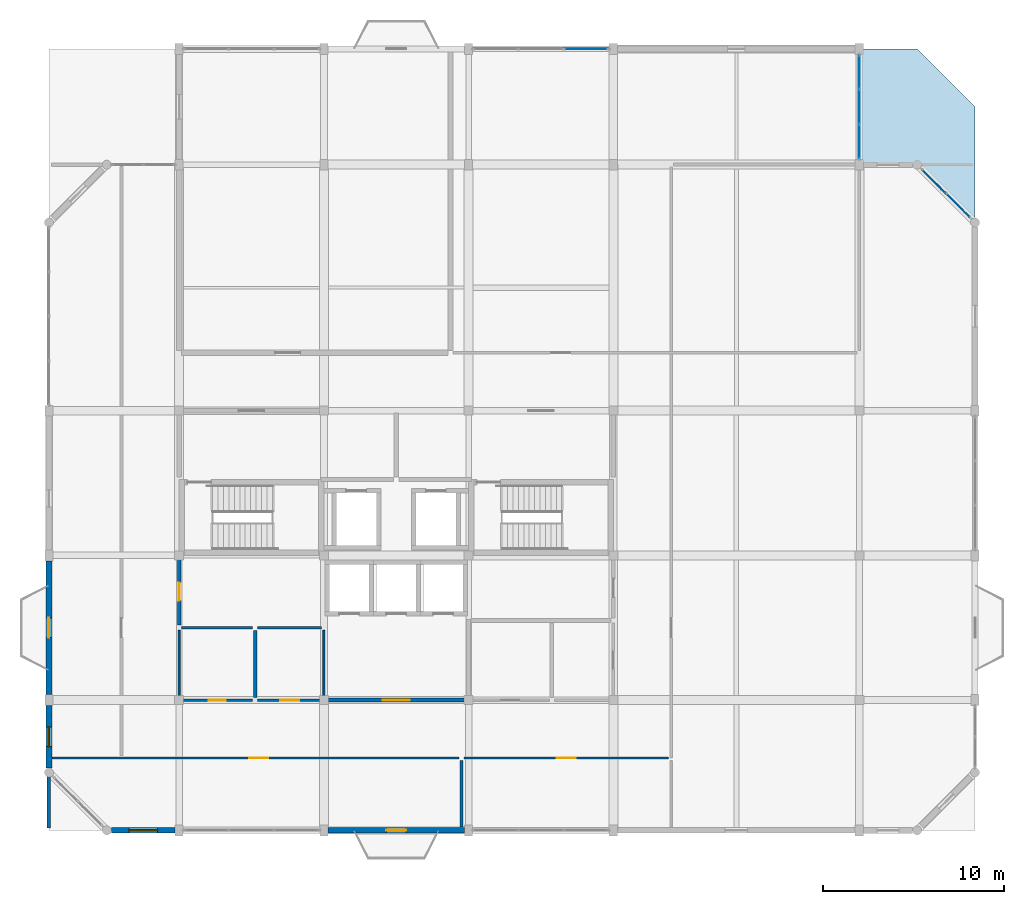
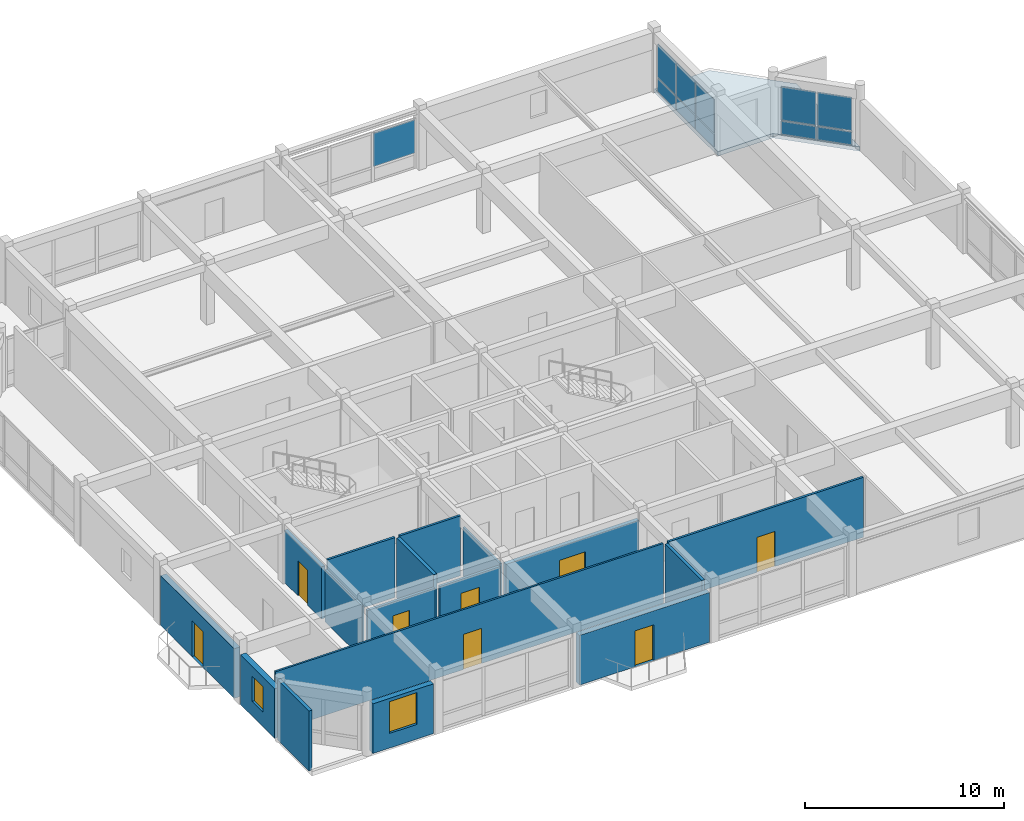
# One storey, part 8 of 12: 17 walls, 11 plates, 8 doors, 2 windows, 1 slab, 10 openings, 3 elements without a shape of their own.
"""IFC4 building model written with IfcOpenShell, lengths in metres."""

from ifc_helpers import new_model, si_unit, direction, frame, frame_2d, origin, origin_2d, place, context, subcontext, project, spatial, polyline, rectangle, outline, extrude, material, layer, layer_set, type_object, element, fill, aggregate, save


model = new_model("IFC4")

# Units and contexts
model_context = context("Model", 3, precision=1e-05, world=origin(), true_north=direction((0.0, 1.0)))
body_context = subcontext(model_context, "Body", "Model", "MODEL_VIEW")
ifc_project = project(units=[si_unit("LENGTHUNIT", "METRE"), si_unit("AREAUNIT", "SQUARE_METRE"), si_unit("VOLUMEUNIT", "CUBIC_METRE"), si_unit("PLANEANGLEUNIT", "RADIAN"), si_unit("MASSUNIT", "GRAM", prefix="KILO")], contexts=[model_context])

# Site, building, storey
site_placement = place(None, origin())
site = spatial("IfcSite", under=ifc_project, at=site_placement, CompositionType="ELEMENT")
building_placement = place(site_placement, origin())
building = spatial("IfcBuilding", under=site, at=building_placement, Name="Vellmiral Cinema and Media Centre", CompositionType="ELEMENT")
storey_placement = place(building_placement, frame((0.0, 0.0, 62.64990234375)))
storey = spatial("IfcBuildingStorey", under=building, at=storey_placement, Name="L15", CompositionType="ELEMENT", Elevation=62.64990234375)

# Curtain wall, plates
ifc_material_1 = material(Name="Thermally Broken Aluminium and Triple Glazing", Category="aluminium")
curtain_wall_type = type_object("IfcCurtainWallType", Name="CW-CROWN-LANTERN", PredefinedType="USERDEFINED", material=ifc_material_1)
curtain_wall_1_placement = place(storey_placement, origin())
curtain_wall_1 = element("IfcCurtainWall", 1, at=curtain_wall_1_placement, inside=storey, type_object=curtain_wall_type, Name="Curtain Wall L15-B012", ObjectType="STICK CURTAIN WALL", PredefinedType="USERDEFINED")
ifc_material_2 = material(Name="Polychrome Trencadis Ceramic Spandrel Panel", Category="ceramic")
ifc_layer_1 = layer(ifc_material_2, 0.052001953125, Name="Polychrome Trencadis Ceramic Spandrel Panel")
ifc_layer_set_1 = layer_set([ifc_layer_1], Name="Polychrome Trencadis Ceramic Spandrel Panel")
plate_type_1 = type_object("IfcPlateType", Name="CWP-TRENC-52", PredefinedType="CURTAIN_PANEL", material=ifc_layer_set_1)
plate_1_placement = place(storey_placement, frame((167.062744140625, 106.537353515625, 0.070068359375), z_axis=(0.0, 0.0, 1.0), x_axis=(-0.707106781187, 0.707106781187, 0.0)))
plate_1 = element("IfcPlate", 2, at=plate_1_placement, type_object=plate_type_1, Name="CW-10 panel 1.1", PredefinedType="CURTAIN_PANEL", context=body_context, shape_type="SweptSolid", body=[
    extrude(rectangle(XDim=1.80419921875, YDim=0.052001953125, at=origin_2d()), origin(), (0.0, 0.0, 1.0), 0.794921875),
])
plate_2_placement = place(storey_placement, frame((165.7373046875, 107.862548828125, 0.070068359375), z_axis=(0.0, 0.0, 1.0), x_axis=(-0.707106781187, 0.707106781187, 0.0)))
plate_2 = element("IfcPlate", 3, at=plate_2_placement, type_object=plate_type_1, Name="CW-10 panel 2.1", PredefinedType="CURTAIN_PANEL", context=body_context, shape_type="SweptSolid", body=[
    extrude(rectangle(XDim=1.80419921875, YDim=0.052001953125, at=origin_2d()), origin(), (0.0, 0.0, 1.0), 0.794921875),
])

curtain_wall_2_placement = place(storey_placement, origin())
curtain_wall_2 = element("IfcCurtainWall", 4, at=curtain_wall_2_placement, inside=storey, type_object=curtain_wall_type, Name="Curtain Wall L15-B014", ObjectType="STICK CURTAIN WALL", PredefinedType="USERDEFINED")
plate_3_placement = place(storey_placement, frame((161.60009765625, 110.084228515625, 0.070068359375), z_axis=(0.0, 0.0, 1.0), x_axis=(0.0, 1.0, 0.0)))
plate_3 = element("IfcPlate", 5, at=plate_3_placement, type_object=plate_type_1, Name="CW-10 panel 1.1", PredefinedType="CURTAIN_PANEL", context=body_context, shape_type="SweptSolid", body=[
    extrude(rectangle(XDim=1.828369140625, YDim=0.052001953125, at=origin_2d()), origin(), (0.0, 0.0, 1.0), 0.794921875),
])
plate_4_placement = place(storey_placement, frame((161.60009765625, 112.0, 0.070068359375), z_axis=(0.0, 0.0, 1.0), x_axis=(0.0, 1.0, 0.0)))
plate_4 = element("IfcPlate", 6, at=plate_4_placement, type_object=plate_type_1, Name="CW-10 panel 2.1", PredefinedType="CURTAIN_PANEL", context=body_context, shape_type="SweptSolid", body=[
    extrude(rectangle(XDim=1.86328125, YDim=0.052001953125, at=origin_2d()), origin(), (0.0, 0.0, 1.0), 0.794921875),
])
plate_5_placement = place(storey_placement, frame((161.60009765625, 113.915771484375, 0.070068359375), z_axis=(0.0, 0.0, 1.0), x_axis=(0.0, 1.0, 0.0)))
plate_5 = element("IfcPlate", 7, at=plate_5_placement, type_object=plate_type_1, Name="CW-10 panel 3.1", PredefinedType="CURTAIN_PANEL", context=body_context, shape_type="SweptSolid", body=[
    extrude(rectangle(XDim=1.828369140625, YDim=0.052001953125, at=origin_2d()), origin(), (0.0, 0.0, 1.0), 0.794921875),
])

# Plate
ifc_material_3 = material(Name="Triple Low-E Vision Glazing", Category="glass")
ifc_layer_2 = layer(ifc_material_3, 0.0380859375, Name="Triple Low-E Vision Glazing")
ifc_layer_set_2 = layer_set([ifc_layer_2], Name="Triple Low-E Vision Glazing")
plate_type_2 = type_object("IfcPlateType", Name="CWP-VISION-38", PredefinedType="CURTAIN_PANEL", material=ifc_layer_set_2)
plate_6_placement = place(storey_placement, frame((167.062744140625, 106.537353515625, 0.93505859375), z_axis=(0.0, 0.0, 1.0), x_axis=(-0.707106781187, 0.707106781187, 0.0)))
plate_6 = element("IfcPlate", 8, at=plate_6_placement, type_object=plate_type_2, Name="CW-10 panel 1.2", PredefinedType="CURTAIN_PANEL", context=body_context, shape_type="SweptSolid", body=[
    extrude(rectangle(XDim=1.80419921875, YDim=0.0380859375, at=origin_2d()), origin(), (0.0, 0.0, 1.0), 2.044921875),
])

plate_7_placement = place(storey_placement, frame((165.7373046875, 107.862548828125, 0.93505859375), z_axis=(0.0, 0.0, 1.0), x_axis=(-0.707106781187, 0.707106781187, 0.0)))
plate_7 = element("IfcPlate", 9, at=plate_7_placement, type_object=plate_type_2, Name="CW-10 panel 2.2", PredefinedType="CURTAIN_PANEL", context=body_context, shape_type="SweptSolid", body=[
    extrude(rectangle(XDim=1.80419921875, YDim=0.0380859375, at=origin_2d()), origin(), (0.0, 0.0, 1.0), 2.044921875),
])

aggregate(curtain_wall_1, [plate_1, plate_6, plate_2, plate_7])

plate_8_placement = place(storey_placement, frame((161.60009765625, 110.084228515625, 0.93505859375), z_axis=(0.0, 0.0, 1.0), x_axis=(0.0, 1.0, 0.0)))
plate_8 = element("IfcPlate", 10, at=plate_8_placement, type_object=plate_type_2, Name="CW-10 panel 1.2", PredefinedType="CURTAIN_PANEL", context=body_context, shape_type="SweptSolid", body=[
    extrude(rectangle(XDim=1.828369140625, YDim=0.0380859375, at=origin_2d()), origin(), (0.0, 0.0, 1.0), 2.044921875),
])

plate_9_placement = place(storey_placement, frame((161.60009765625, 112.0, 0.93505859375), z_axis=(0.0, 0.0, 1.0), x_axis=(0.0, 1.0, 0.0)))
plate_9 = element("IfcPlate", 11, at=plate_9_placement, type_object=plate_type_2, Name="CW-10 panel 2.2", PredefinedType="CURTAIN_PANEL", context=body_context, shape_type="SweptSolid", body=[
    extrude(rectangle(XDim=1.86328125, YDim=0.0380859375, at=origin_2d()), origin(), (0.0, 0.0, 1.0), 2.044921875),
])

plate_10_placement = place(storey_placement, frame((161.60009765625, 113.915771484375, 0.93505859375), z_axis=(0.0, 0.0, 1.0), x_axis=(0.0, 1.0, 0.0)))
plate_10 = element("IfcPlate", 12, at=plate_10_placement, type_object=plate_type_2, Name="CW-10 panel 3.2", PredefinedType="CURTAIN_PANEL", context=body_context, shape_type="SweptSolid", body=[
    extrude(rectangle(XDim=1.828369140625, YDim=0.0380859375, at=origin_2d()), origin(), (0.0, 0.0, 1.0), 2.044921875),
])

aggregate(curtain_wall_2, [plate_3, plate_8, plate_4, plate_9, plate_5, plate_10])

# Curtain wall, plate
curtain_wall_3_placement = place(storey_placement, origin())
curtain_wall_3 = element("IfcCurtainWall", 13, at=curtain_wall_3_placement, inside=storey, type_object=curtain_wall_type, Name="Curtain Wall L15-B016", ObjectType="STICK CURTAIN WALL", PredefinedType="USERDEFINED")
plate_11_placement = place(storey_placement, frame((146.499267578125, 115.199951171875, 0.93505859375), z_axis=(0.0, 0.0, 1.0), x_axis=(-1.0, 0.0, 0.0)))
plate_11 = element("IfcPlate", 14, at=plate_11_placement, type_object=plate_type_2, Name="CW-10 panel 1.2", PredefinedType="CURTAIN_PANEL", context=body_context, shape_type="SweptSolid", body=[
    extrude(rectangle(XDim=2.41162109375, YDim=0.0380859375, at=origin_2d()), origin(), (0.0, 0.0, 1.0), 2.044921875),
])
aggregate(curtain_wall_3, [plate_11])

# Slab
ifc_material_4 = material(Name="Concrete C40/50", Category="concrete")
ifc_layer_3 = layer(ifc_material_4, 0.27001953125, Name="Concrete C40/50")
ifc_layer_set_3 = layer_set([ifc_layer_3], Name="Concrete C40/50")
slab_type = type_object("IfcSlabType", Name="SLB-ROOF-270", PredefinedType="ROOF", material=ifc_layer_set_3)
slab_placement = place(storey_placement, frame((0.0, 0.0, -0.27001953125)))
element("IfcSlab", 15, at=slab_placement, inside=storey, type_object=slab_type, Name="Setback Maintenance Roof Slab SB15-NE", PredefinedType="ROOF", context=body_context, shape_type="SweptSolid", body=[
    extrude(outline(polyline([(161.6201171875, 108.820068359375), (164.800048828125, 108.820068359375), (168.0, 105.6201171875), (168.0, 112.0), (164.800048828125, 115.199951171875), (161.6201171875, 115.199951171875), (161.6201171875, 108.820068359375)])), origin(), (0.0, 0.0, 1.0), 0.27001953125),
])

# Wall, opening, door
ifc_material_5 = material(Name="Concrete C40/50", Category="concrete")
ifc_layer_4 = layer(ifc_material_5, 0.2099609375, Name="Concrete C40/50")
ifc_layer_set_4 = layer_set([ifc_layer_4], Name="Concrete C40/50")
wall_type_1 = type_object("IfcWallType", Name="WL-COMP-210", PredefinedType="SOLIDWALL", material=ifc_layer_set_4)
wall_1_placement = place(storey_placement, frame((124.0, 83.340087890625, 0.0), z_axis=(0.0, 0.0, 1.0), x_axis=(0.0, 1.0, 0.0)))
wall_1 = element("IfcWall", 16, at=wall_1_placement, inside=storey, type_object=wall_type_1, Name="Electrical and Telecom Riser Room Wall W", PredefinedType="SOLIDWALL", context=body_context, shape_type="SweptSolid", body=[
    extrude(rectangle(XDim=3.719970703125, YDim=0.2099609375, at=frame_2d((1.85986328125, 0.0))), origin(), (0.0, 0.0, 1.0), 3.195068359375),
])
opening_1_placement = place(wall_1_placement, frame((1.360107421875, 0.0, 0.0)))
opening_1 = element("IfcOpeningElement", 17, at=opening_1_placement, cuts=wall_1, Name="Opening D-FD30B", PredefinedType="OPENING", context=body_context, shape_type="SweptSolid", body=[
    extrude(rectangle(XDim=1.0, YDim=2.14990234375, at=frame_2d((0.5, 1.074951171875))), frame((0.0, 0.116943359375, 0.0), z_axis=(0.0, -1.0, 0.0), x_axis=(1.0, 0.0, 0.0)), (0.0, 0.0, 1.0), 0.23388671875),
])
ifc_material_6 = material(Name="Steel Riser Fire Door", Category="steel")
door_type_1 = type_object("IfcDoorType", Name="DR-FD30-1000x2150", OperationType="NOTDEFINED", PredefinedType="DOOR", material=ifc_material_6)
door_1_placement = place(opening_1_placement, frame((1.0, 0.0, 0.0), z_axis=(0.0, 0.0, 1.0), x_axis=(-1.0, 0.0, 0.0)))
door_1 = element("IfcDoor", 18, at=door_1_placement, inside=storey, type_object=door_type_1, Name="Electrical and Telecom Riser Room Door", OperationType="SINGLE_SWING_LEFT", OverallHeight=2.14990234375, OverallWidth=1.0, PredefinedType="DOOR", context=body_context, shape_type="SweptSolid", body=[
    extrude(rectangle(XDim=1.0, YDim=2.14990234375, at=frame_2d((0.5, 1.074951171875))), frame((0.0, 0.02490234375, 0.0), z_axis=(0.0, -1.0, 0.0), x_axis=(1.0, 0.0, 0.0)), (0.0, 0.0, 1.0), 0.050048828125),
])
fill(opening_1, door_1)

# Wall, opening, window
ifc_material_7 = material(Name="Polychrome Glazed Ceramic Cladding", Category="masonry")
ifc_layer_5 = layer(ifc_material_7, 0.320068359375, Name="Polychrome Glazed Ceramic Cladding")
ifc_layer_set_5 = layer_set([ifc_layer_5], Name="Polychrome Glazed Ceramic Cladding")
wall_type_2 = type_object("IfcWallType", Name="WL-EXT-BRICK-320", PredefinedType="SOLIDWALL", material=ifc_layer_set_5)
wall_2_placement = place(storey_placement, frame((120.25, 72.0, 0.0), z_axis=(0.0, 0.0, 1.0), x_axis=(1.0, 0.0, 0.0)))
wall_2 = element("IfcWall", 19, at=wall_2_placement, inside=storey, type_object=wall_type_2, Name="Exterior Facade Wall L15-001", PredefinedType="SOLIDWALL", context=body_context, shape_type="SweptSolid", body=[
    extrude(rectangle(XDim=3.52490234375, YDim=0.320068359375, at=frame_2d((1.762451171875, 0.0))), origin(), (0.0, 0.0, 1.0), 3.050048828125),
])
opening_2_placement = place(wall_2_placement, frame((0.96240234375, 0.0, 0.89990234375)))
opening_2 = element("IfcOpeningElement", 20, at=opening_2_placement, cuts=wall_2, Name="Opening WN-05", PredefinedType="OPENING", context=body_context, shape_type="SweptSolid", body=[
    extrude(rectangle(XDim=1.60009765625, YDim=1.949951171875, at=frame_2d((0.800048828125, 0.97509765625))), frame((0.0, 0.171875, 0.0), z_axis=(0.0, -1.0, 0.0), x_axis=(1.0, 0.0, 0.0)), (0.0, 0.0, 1.0), 0.343994140625),
])
ifc_material_8 = material(Name="Thermally Broken Aluminium Triple Glazing", Category="aluminium")
window_type_1 = type_object("IfcWindowType", Name="WN-1600x1950", PartitioningType="DOUBLE_PANEL_VERTICAL", PredefinedType="WINDOW", material=ifc_material_8)
window_1_placement = place(opening_2_placement, origin())
window_1 = element("IfcWindow", 21, at=window_1_placement, inside=storey, type_object=window_type_1, Name="Window L15-001", OverallHeight=1.949951171875, OverallWidth=1.60009765625, PartitioningType="DOUBLE_PANEL_VERTICAL", PredefinedType="WINDOW", context=body_context, shape_type="SweptSolid", body=[
    extrude(rectangle(XDim=1.60009765625, YDim=1.949951171875, at=frame_2d((0.800048828125, 0.97509765625))), frame((0.0, 0.030029296875, 0.0), z_axis=(0.0, -1.0, 0.0), x_axis=(1.0, 0.0, 0.0)), (0.0, 0.0, 1.0), 0.06005859375),
])
fill(opening_2, window_1)

# Wall, opening, door
wall_3_placement = place(storey_placement, frame((132.22509765625, 72.0, 0.0), z_axis=(0.0, 0.0, 1.0), x_axis=(1.0, 0.0, 0.0)))
wall_3 = element("IfcWall", 22, at=wall_3_placement, inside=storey, type_object=wall_type_2, Name="Exterior Facade Wall L15-003", PredefinedType="SOLIDWALL", context=body_context, shape_type="SweptSolid", body=[
    extrude(rectangle(XDim=7.5498046875, YDim=0.320068359375, at=frame_2d((3.77490234375, 0.0))), origin(), (0.0, 0.0, 1.0), 3.050048828125),
])
opening_3_placement = place(wall_3_placement, frame((3.22509765625, 0.0, 0.0)))
opening_3 = element("IfcOpeningElement", 23, at=opening_3_placement, cuts=wall_3, Name="Opening DE-06", PredefinedType="OPENING", context=body_context, shape_type="SweptSolid", body=[
    extrude(rectangle(XDim=1.10009765625, YDim=2.199951171875, at=frame_2d((0.550048828125, 1.10009765625))), frame((0.0, 0.171875, 0.0), z_axis=(0.0, -1.0, 0.0), x_axis=(1.0, 0.0, 0.0)), (0.0, 0.0, 1.0), 0.343994140625),
])
ifc_material_9 = material(Name="Thermally Broken Glazed Aluminium and Bronze Door", Category="aluminium")
door_type_2 = type_object("IfcDoorType", Name="DR-MIRA-1100x2200", OperationType="NOTDEFINED", PredefinedType="DOOR", material=ifc_material_9)
door_2_placement = place(opening_3_placement, frame((1.10009765625, 0.0, 0.0), z_axis=(0.0, 0.0, 1.0), x_axis=(-1.0, 0.0, 0.0)))
door_2 = element("IfcDoor", 24, at=door_2_placement, inside=storey, type_object=door_type_2, Name="Mirador Balcony Door L15-S", OperationType="SINGLE_SWING_LEFT", OverallHeight=2.199951171875, OverallWidth=1.10009765625, PredefinedType="DOOR", context=body_context, shape_type="SweptSolid", body=[
    extrude(rectangle(XDim=1.10009765625, YDim=2.199951171875, at=frame_2d((0.550048828125, 1.10009765625))), frame((0.0, 0.02490234375, 0.0), z_axis=(0.0, -1.0, 0.0), x_axis=(1.0, 0.0, 0.0)), (0.0, 0.0, 1.0), 0.050048828125),
])
fill(opening_3, door_2)

# Wall, opening, window
wall_4_placement = place(storey_placement, frame((116.800048828125, 78.89990234375, 0.0), z_axis=(0.0, 0.0, 1.0), x_axis=(0.0, -1.0, 0.0)))
wall_4 = element("IfcWall", 25, at=wall_4_placement, inside=storey, type_object=wall_type_2, Name="Exterior Facade Wall L15-025", PredefinedType="SOLIDWALL", context=body_context, shape_type="SweptSolid", body=[
    extrude(rectangle(XDim=3.449951171875, YDim=0.320068359375, at=frame_2d((1.72509765625, 0.0))), origin(), (0.0, 0.0, 1.0), 3.050048828125),
])
opening_4_placement = place(wall_4_placement, frame((1.175048828125, 0.0, 0.89990234375)))
opening_4 = element("IfcOpeningElement", 26, at=opening_4_placement, cuts=wall_4, Name="Opening WN-11", PredefinedType="OPENING", context=body_context, shape_type="SweptSolid", body=[
    extrude(rectangle(XDim=1.10009765625, YDim=1.550048828125, at=frame_2d((0.550048828125, 0.77490234375))), frame((0.0, 0.171875, 0.0), z_axis=(0.0, -1.0, 0.0), x_axis=(1.0, 0.0, 0.0)), (0.0, 0.0, 1.0), 0.343994140625),
])
ifc_material_10 = material(Name="Thermally Broken Aluminium Triple Glazing", Category="aluminium")
window_type_2 = type_object("IfcWindowType", Name="WN-1100x1550", PartitioningType="SINGLE_PANEL", PredefinedType="WINDOW", material=ifc_material_10)
window_2_placement = place(opening_4_placement, origin())
window_2 = element("IfcWindow", 27, at=window_2_placement, inside=storey, type_object=window_type_2, Name="Window L15-025", OverallHeight=1.550048828125, OverallWidth=1.10009765625, PartitioningType="SINGLE_PANEL", PredefinedType="WINDOW", context=body_context, shape_type="SweptSolid", body=[
    extrude(rectangle(XDim=1.10009765625, YDim=1.550048828125, at=frame_2d((0.550048828125, 0.77490234375))), frame((0.0, 0.030029296875, 0.0), z_axis=(0.0, -1.0, 0.0), x_axis=(1.0, 0.0, 0.0)), (0.0, 0.0, 1.0), 0.06005859375),
])
fill(opening_4, window_2)

# Wall, opening, door
ifc_material_11 = material(Name="Vosges Red Sandstone Masonry", Category="masonry")
ifc_layer_6 = layer(ifc_material_11, 0.340087890625, Name="Vosges Red Sandstone Masonry")
ifc_layer_set_6 = layer_set([ifc_layer_6], Name="Vosges Red Sandstone Masonry")
wall_type_3 = type_object("IfcWallType", Name="WL-EXT-SAND-340", PredefinedType="SOLIDWALL", material=ifc_layer_set_6)
wall_5_placement = place(storey_placement, frame((116.800048828125, 86.89990234375, 0.0), z_axis=(0.0, 0.0, 1.0), x_axis=(0.0, -1.0, 0.0)))
wall_5 = element("IfcWall", 28, at=wall_5_placement, inside=storey, type_object=wall_type_3, Name="Exterior Facade Wall L15-024", PredefinedType="SOLIDWALL", context=body_context, shape_type="SweptSolid", body=[
    extrude(rectangle(XDim=7.39990234375, YDim=0.340087890625, at=frame_2d((3.699951171875, 0.0))), origin(), (0.0, 0.0, 1.0), 3.050048828125),
])
opening_5_placement = place(wall_5_placement, frame((3.14990234375, 0.0, 0.0)))
opening_5 = element("IfcOpeningElement", 29, at=opening_5_placement, cuts=wall_5, Name="Opening DE-06", PredefinedType="OPENING", context=body_context, shape_type="SweptSolid", body=[
    extrude(rectangle(XDim=1.10009765625, YDim=2.199951171875, at=frame_2d((0.550048828125, 1.10009765625))), frame((0.0, 0.18212890625, 0.0), z_axis=(0.0, -1.0, 0.0), x_axis=(1.0, 0.0, 0.0)), (0.0, 0.0, 1.0), 0.364013671875),
])
door_3_placement = place(opening_5_placement, frame((1.10009765625, 0.0, 0.0), z_axis=(0.0, 0.0, 1.0), x_axis=(-1.0, 0.0, 0.0)))
door_3 = element("IfcDoor", 30, at=door_3_placement, inside=storey, type_object=door_type_2, Name="Mirador Balcony Door L15-W", OperationType="SINGLE_SWING_RIGHT", OverallHeight=2.199951171875, OverallWidth=1.10009765625, PredefinedType="DOOR", context=body_context, shape_type="SweptSolid", body=[
    extrude(rectangle(XDim=1.10009765625, YDim=2.199951171875, at=frame_2d((0.550048828125, 1.10009765625))), frame((0.0, 0.02490234375, 0.0), z_axis=(0.0, -1.0, 0.0), x_axis=(1.0, 0.0, 0.0)), (0.0, 0.0, 1.0), 0.050048828125),
])
fill(opening_5, door_3)

ifc_material_12 = material(Name="Concrete C40/50", Category="concrete")
ifc_layer_7 = layer(ifc_material_12, 0.22998046875, Name="Concrete C40/50")
ifc_layer_set_7 = layer_set([ifc_layer_7], Name="Concrete C40/50")
wall_type_4 = type_object("IfcWallType", Name="WL-FFL-230", PredefinedType="SOLIDWALL", material=ifc_layer_set_7)
wall_6_placement = place(storey_placement, frame((132.139892578125, 79.199951171875, 0.0), z_axis=(0.0, 0.0, 1.0), x_axis=(1.0, 0.0, 0.0)))
wall_6 = element("IfcWall", 31, at=wall_6_placement, inside=storey, type_object=wall_type_4, Name="Tower Passenger Lift Lobby Wall S", PredefinedType="SOLIDWALL", context=body_context, shape_type="SweptSolid", body=[
    extrude(rectangle(XDim=7.72021484375, YDim=0.22998046875, at=frame_2d((3.860107421875, 0.0))), origin(), (0.0, 0.0, 1.0), 3.045166015625),
])
opening_6_placement = place(wall_6_placement, frame((3.110107421875, 0.0, 0.0)))
opening_6 = element("IfcOpeningElement", 32, at=opening_6_placement, cuts=wall_6, Name="Opening D-FD30", PredefinedType="OPENING", context=body_context, shape_type="SweptSolid", body=[
    extrude(rectangle(XDim=1.5, YDim=2.199951171875, at=frame_2d((0.75, 1.10009765625))), frame((0.0, 0.126953125, 0.0), z_axis=(0.0, -1.0, 0.0), x_axis=(1.0, 0.0, 0.0)), (0.0, 0.0, 1.0), 0.25390625),
])
ifc_material_13 = material(Name="Timber-Core Fire Door", Category="wood")
door_type_3 = type_object("IfcDoorType", Name="DR-FD30-1500x2200", OperationType="DOUBLE_DOOR_SINGLE_SWING", PredefinedType="DOOR", material=ifc_material_13)
door_4_placement = place(opening_6_placement, frame((1.5, 0.0, 0.0), z_axis=(0.0, 0.0, 1.0), x_axis=(-1.0, 0.0, 0.0)))
door_4 = element("IfcDoor", 33, at=door_4_placement, inside=storey, type_object=door_type_3, Name="Tower Passenger Lift Lobby Door", OperationType="DOUBLE_DOOR_SINGLE_SWING", OverallHeight=2.199951171875, OverallWidth=1.5, PredefinedType="DOOR", context=body_context, shape_type="SweptSolid", body=[
    extrude(rectangle(XDim=1.5, YDim=2.199951171875, at=frame_2d((0.75, 1.10009765625))), frame((0.0, 0.02490234375, 0.0), z_axis=(0.0, -1.0, 0.0), x_axis=(1.0, 0.0, 0.0)), (0.0, 0.0, 1.0), 0.050048828125),
])
fill(opening_6, door_4)

# Walls
ifc_material_14 = material(Name="Gypsum Plasterboard")
ifc_layer_8 = layer(ifc_material_14, 0.02490234375, Name="Gypsum Plasterboard", Category="gypsum")
ifc_material_15 = material(Name="Mineral Wool Acoustic Insulation", Category="insulation")
ifc_layer_9 = layer(ifc_material_15, 0.06005859375, Name="Mineral Wool Acoustic Insulation", Category="insulation")
ifc_layer_10 = layer(ifc_material_14, 0.02490234375, Name="Gypsum Plasterboard", Category="gypsum")
ifc_layer_set_8 = layer_set([ifc_layer_8, ifc_layer_9, ifc_layer_10], Name="Gypsum Plasterboard")
wall_type_5 = type_object("IfcWallType", Name="WL-PART-110", PredefinedType="PARTITIONING", material=ifc_layer_set_8)
wall_7_placement = place(storey_placement, frame((124.0, 79.340087890625, 0.0), z_axis=(0.0, 0.0, 1.0), x_axis=(0.0, 1.0, 0.0)))
element("IfcWall", 34, at=wall_7_placement, inside=storey, type_object=wall_type_5, Name="Staff WC Wall W", PredefinedType="PARTITIONING", context=body_context, shape_type="SweptSolid", body=[
    extrude(rectangle(XDim=3.719970703125, YDim=0.110107421875, at=frame_2d((1.85986328125, 0.0))), origin(), (0.0, 0.0, 1.0), 3.195068359375),
])
wall_8_placement = place(storey_placement, frame((132.0, 79.340087890625, 0.0), z_axis=(0.0, 0.0, 1.0), x_axis=(0.0, 1.0, 0.0)))
element("IfcWall", 35, at=wall_8_placement, inside=storey, type_object=wall_type_5, Name="Accessible WC Wall E", PredefinedType="PARTITIONING", context=body_context, shape_type="SweptSolid", body=[
    extrude(rectangle(XDim=3.719970703125, YDim=0.110107421875, at=frame_2d((1.85986328125, 0.0))), origin(), (0.0, 0.0, 1.0), 2.9951171875),
])

# Wall, opening, door
wall_9_placement = place(storey_placement, frame((116.97509765625, 76.0, 0.0), z_axis=(0.0, 0.0, 1.0), x_axis=(1.0, 0.0, 0.0)))
wall_9 = element("IfcWall", 36, at=wall_9_placement, inside=storey, type_object=wall_type_5, Name="South Executive Reception Gallery Wall N", PredefinedType="PARTITIONING", context=body_context, shape_type="SweptSolid", body=[
    extrude(rectangle(XDim=22.48486328125, YDim=0.110107421875, at=frame_2d((11.242431640625, 0.0))), origin(), (0.0, 0.0, 1.0), 3.670166015625),
])
opening_7_placement = place(wall_9_placement, frame((10.89990234375, 0.0, 0.0)))
opening_7 = element("IfcOpeningElement", 37, at=opening_7_placement, cuts=wall_9, Name="Opening D-I07", PredefinedType="OPENING", context=body_context, shape_type="SweptSolid", body=[
    extrude(rectangle(XDim=1.050048828125, YDim=2.14990234375, at=frame_2d((0.52490234375, 1.074951171875))), frame((0.0, 0.06689453125, 0.0), z_axis=(0.0, -1.0, 0.0), x_axis=(1.0, 0.0, 0.0)), (0.0, 0.0, 1.0), 0.134033203125),
])
ifc_material_16 = material(Name="Laminated Timber Door", Category="wood")
door_type_4 = type_object("IfcDoorType", Name="DR-INT-1050x2150", OperationType="NOTDEFINED", PredefinedType="DOOR", material=ifc_material_16)
door_5_placement = place(opening_7_placement, origin())
door_5 = element("IfcDoor", 38, at=door_5_placement, inside=storey, type_object=door_type_4, Name="South Executive Reception Gallery Door", OperationType="SINGLE_SWING_RIGHT", OverallHeight=2.14990234375, OverallWidth=1.050048828125, PredefinedType="DOOR", context=body_context, shape_type="SweptSolid", body=[
    extrude(rectangle(XDim=1.050048828125, YDim=2.14990234375, at=frame_2d((0.52490234375, 1.074951171875))), frame((0.0, 0.02490234375, 0.0), z_axis=(0.0, -1.0, 0.0), x_axis=(1.0, 0.0, 0.0)), (0.0, 0.0, 1.0), 0.050048828125),
])
fill(opening_7, door_5)

# Walls
ifc_material_17 = material(Name="Gypsum Plasterboard")
ifc_layer_11 = layer(ifc_material_17, 0.02490234375, Name="Gypsum Plasterboard", Category="gypsum")
ifc_material_18 = material(Name="Mineral Wool Acoustic Insulation", Category="insulation")
ifc_layer_12 = layer(ifc_material_18, 0.080078125, Name="Mineral Wool Acoustic Insulation", Category="insulation")
ifc_layer_13 = layer(ifc_material_17, 0.02490234375, Name="Gypsum Plasterboard", Category="gypsum")
ifc_layer_set_9 = layer_set([ifc_layer_11, ifc_layer_12, ifc_layer_13], Name="Gypsum Plasterboard")
wall_type_6 = type_object("IfcWallType", Name="WL-PART-130", PredefinedType="PARTITIONING", material=ifc_layer_set_9)
wall_10_placement = place(storey_placement, frame((124.139892578125, 83.199951171875, 0.0), z_axis=(0.0, 0.0, 1.0), x_axis=(1.0, 0.0, 0.0)))
element("IfcWall", 39, at=wall_10_placement, inside=storey, type_object=wall_type_6, Name="Staff WC Wall N", PredefinedType="PARTITIONING", context=body_context, shape_type="SweptSolid", body=[
    extrude(rectangle(XDim=3.920166015625, YDim=0.1298828125, at=frame_2d((1.9599609375, 0.0))), origin(), (0.0, 0.0, 1.0), 3.670166015625),
])
wall_11_placement = place(storey_placement, frame((128.340087890625, 83.199951171875, 0.0), z_axis=(0.0, 0.0, 1.0), x_axis=(1.0, 0.0, 0.0)))
element("IfcWall", 40, at=wall_11_placement, inside=storey, type_object=wall_type_6, Name="Accessible WC Wall N", PredefinedType="PARTITIONING", context=body_context, shape_type="SweptSolid", body=[
    extrude(rectangle(XDim=3.52001953125, YDim=0.1298828125, at=frame_2d((1.760009765625, 0.0))), origin(), (0.0, 0.0, 1.0), 3.670166015625),
])

# Wall, opening, door
wall_12_placement = place(storey_placement, frame((139.739990234375, 76.0, 0.0), z_axis=(0.0, 0.0, 1.0), x_axis=(1.0, 0.0, 0.0)))
wall_12 = element("IfcWall", 41, at=wall_12_placement, inside=storey, type_object=wall_type_6, Name="South Executive Counsel Suite Wall N", PredefinedType="PARTITIONING", context=body_context, shape_type="SweptSolid", body=[
    extrude(rectangle(XDim=11.320068359375, YDim=0.1298828125, at=frame_2d((5.66015625, 0.0))), origin(), (0.0, 0.0, 1.0), 3.670166015625),
])
opening_8_placement = place(wall_12_placement, frame((5.135009765625, 0.0, 0.0)))
opening_8 = element("IfcOpeningElement", 42, at=opening_8_placement, cuts=wall_12, Name="Opening D-I07", PredefinedType="OPENING", context=body_context, shape_type="SweptSolid", body=[
    extrude(rectangle(XDim=1.050048828125, YDim=2.14990234375, at=frame_2d((0.52490234375, 1.074951171875))), frame((0.0, 0.076904296875, 0.0), z_axis=(0.0, -1.0, 0.0), x_axis=(1.0, 0.0, 0.0)), (0.0, 0.0, 1.0), 0.15380859375),
])
door_6_placement = place(opening_8_placement, frame((1.050048828125, 0.0, 0.0), z_axis=(0.0, 0.0, 1.0), x_axis=(-1.0, 0.0, 0.0)))
door_6 = element("IfcDoor", 43, at=door_6_placement, inside=storey, type_object=door_type_4, Name="South Executive Counsel Suite Door", OperationType="SINGLE_SWING_LEFT", OverallHeight=2.14990234375, OverallWidth=1.050048828125, PredefinedType="DOOR", context=body_context, shape_type="SweptSolid", body=[
    extrude(rectangle(XDim=1.050048828125, YDim=2.14990234375, at=frame_2d((0.52490234375, 1.074951171875))), frame((0.0, 0.02490234375, 0.0), z_axis=(0.0, -1.0, 0.0), x_axis=(1.0, 0.0, 0.0)), (0.0, 0.0, 1.0), 0.050048828125),
])
fill(opening_8, door_6)

ifc_material_19 = material(Name="Gypsum Plasterboard")
ifc_layer_14 = layer(ifc_material_19, 0.02490234375, Name="Gypsum Plasterboard", Category="gypsum")
ifc_material_20 = material(Name="Mineral Wool Acoustic Insulation", Category="insulation")
ifc_layer_15 = layer(ifc_material_20, 0.10009765625, Name="Mineral Wool Acoustic Insulation", Category="insulation")
ifc_layer_16 = layer(ifc_material_19, 0.02490234375, Name="Gypsum Plasterboard", Category="gypsum")
ifc_layer_set_10 = layer_set([ifc_layer_14, ifc_layer_15, ifc_layer_16], Name="Gypsum Plasterboard")
wall_type_7 = type_object("IfcWallType", Name="WL-PART-150", PredefinedType="PARTITIONING", material=ifc_layer_set_10)
wall_13_placement = place(storey_placement, frame((124.139892578125, 79.199951171875, 0.0), z_axis=(0.0, 0.0, 1.0), x_axis=(1.0, 0.0, 0.0)))
wall_13 = element("IfcWall", 44, at=wall_13_placement, inside=storey, type_object=wall_type_7, Name="Staff WC Wall S", PredefinedType="PARTITIONING", context=body_context, shape_type="SweptSolid", body=[
    extrude(rectangle(XDim=3.920166015625, YDim=0.14990234375, at=frame_2d((1.9599609375, 0.0))), origin(), (0.0, 0.0, 1.0), 2.9951171875),
])
opening_9_placement = place(wall_13_placement, frame((1.485107421875, 0.0, 0.0)))
opening_9 = element("IfcOpeningElement", 45, at=opening_9_placement, cuts=wall_13, Name="Opening D-I09", PredefinedType="OPENING", context=body_context, shape_type="SweptSolid", body=[
    extrude(rectangle(XDim=0.949951171875, YDim=2.14990234375, at=frame_2d((0.47509765625, 1.074951171875))), frame((0.0, 0.0869140625, 0.0), z_axis=(0.0, -1.0, 0.0), x_axis=(1.0, 0.0, 0.0)), (0.0, 0.0, 1.0), 0.173828125),
])
ifc_material_21 = material(Name="Moisture-Resistant Timber Door", Category="wood")
door_type_5 = type_object("IfcDoorType", Name="DR-INT-950x2150", OperationType="NOTDEFINED", PredefinedType="DOOR", material=ifc_material_21)
door_7_placement = place(opening_9_placement, origin())
door_7 = element("IfcDoor", 46, at=door_7_placement, inside=storey, type_object=door_type_5, Name="Staff WC Door", OperationType="SINGLE_SWING_LEFT", OverallHeight=2.14990234375, OverallWidth=0.949951171875, PredefinedType="DOOR", context=body_context, shape_type="SweptSolid", body=[
    extrude(rectangle(XDim=0.949951171875, YDim=2.14990234375, at=frame_2d((0.47509765625, 1.074951171875))), frame((0.0, 0.02490234375, 0.0), z_axis=(0.0, -1.0, 0.0), x_axis=(1.0, 0.0, 0.0)), (0.0, 0.0, 1.0), 0.050048828125),
])
fill(opening_9, door_7)

wall_14_placement = place(storey_placement, frame((128.340087890625, 79.199951171875, 0.0), z_axis=(0.0, 0.0, 1.0), x_axis=(1.0, 0.0, 0.0)))
wall_14 = element("IfcWall", 47, at=wall_14_placement, inside=storey, type_object=wall_type_7, Name="Accessible WC Wall S", PredefinedType="PARTITIONING", context=body_context, shape_type="SweptSolid", body=[
    extrude(rectangle(XDim=3.52001953125, YDim=0.14990234375, at=frame_2d((1.760009765625, 0.0))), origin(), (0.0, 0.0, 1.0), 2.9951171875),
])
opening_10_placement = place(wall_14_placement, frame((1.235107421875, 0.0, 0.0)))
opening_10 = element("IfcOpeningElement", 48, at=opening_10_placement, cuts=wall_14, Name="Opening D-I10", PredefinedType="OPENING", context=body_context, shape_type="SweptSolid", body=[
    extrude(rectangle(XDim=1.050048828125, YDim=2.14990234375, at=frame_2d((0.52490234375, 1.074951171875))), frame((0.0, 0.0869140625, 0.0), z_axis=(0.0, -1.0, 0.0), x_axis=(1.0, 0.0, 0.0)), (0.0, 0.0, 1.0), 0.173828125),
])
ifc_material_22 = material(Name="Barrier-Free Timber Door", Category="wood")
door_type_6 = type_object("IfcDoorType", Name="DR-ACC-1050x2150", OperationType="NOTDEFINED", PredefinedType="DOOR", material=ifc_material_22)
door_8_placement = place(opening_10_placement, origin())
door_8 = element("IfcDoor", 49, at=door_8_placement, inside=storey, type_object=door_type_6, Name="Accessible WC Door", OperationType="SINGLE_SWING_RIGHT", OverallHeight=2.14990234375, OverallWidth=1.050048828125, PredefinedType="DOOR", context=body_context, shape_type="SweptSolid", body=[
    extrude(rectangle(XDim=1.050048828125, YDim=2.14990234375, at=frame_2d((0.52490234375, 1.074951171875))), frame((0.0, 0.02490234375, 0.0), z_axis=(0.0, -1.0, 0.0), x_axis=(1.0, 0.0, 0.0)), (0.0, 0.0, 1.0), 0.050048828125),
])
fill(opening_10, door_8)

# Walls
ifc_material_23 = material(Name="Gypsum Plasterboard")
ifc_layer_17 = layer(ifc_material_23, 0.02490234375, Name="Gypsum Plasterboard", Category="gypsum")
ifc_material_24 = material(Name="Mineral Wool Acoustic Insulation", Category="insulation")
ifc_layer_18 = layer(ifc_material_24, 0.1201171875, Name="Mineral Wool Acoustic Insulation", Category="insulation")
ifc_layer_19 = layer(ifc_material_23, 0.02490234375, Name="Gypsum Plasterboard", Category="gypsum")
ifc_layer_set_11 = layer_set([ifc_layer_17, ifc_layer_18, ifc_layer_19], Name="Gypsum Plasterboard")
wall_type_8 = type_object("IfcWallType", Name="WL-PART-170", PredefinedType="PARTITIONING", material=ifc_layer_set_11)
wall_15_placement = place(storey_placement, frame((139.60009765625, 72.175048828125, 0.0), z_axis=(0.0, 0.0, 1.0), x_axis=(0.0, 1.0, 0.0)))
element("IfcWall", 50, at=wall_15_placement, inside=storey, type_object=wall_type_8, Name="South Executive Reception Gallery Wall E", PredefinedType="PARTITIONING", context=body_context, shape_type="SweptSolid", body=[
    extrude(rectangle(XDim=3.68505859375, YDim=0.169921875, at=frame_2d((1.842529296875, 0.0))), origin(), (0.0, 0.0, 1.0), 3.670166015625),
])
ifc_material_25 = material(Name="Gypsum Plasterboard")
ifc_layer_20 = layer(ifc_material_25, 0.02490234375, Name="Gypsum Plasterboard", Category="gypsum")
ifc_material_26 = material(Name="Mineral Wool Acoustic Insulation", Category="insulation")
ifc_layer_21 = layer(ifc_material_26, 0.139892578125, Name="Mineral Wool Acoustic Insulation", Category="insulation")
ifc_layer_22 = layer(ifc_material_25, 0.02490234375, Name="Gypsum Plasterboard", Category="gypsum")
ifc_layer_set_12 = layer_set([ifc_layer_20, ifc_layer_21, ifc_layer_22], Name="Gypsum Plasterboard")
wall_type_9 = type_object("IfcWallType", Name="WL-PART-190", PredefinedType="PARTITIONING", material=ifc_layer_set_12)
wall_16_placement = place(storey_placement, frame((128.199951171875, 79.340087890625, 0.0), z_axis=(0.0, 0.0, 1.0), x_axis=(0.0, 1.0, 0.0)))
element("IfcWall", 51, at=wall_16_placement, inside=storey, type_object=wall_type_9, Name="Staff WC Wall E", PredefinedType="PARTITIONING", context=body_context, shape_type="SweptSolid", body=[
    extrude(rectangle(XDim=3.719970703125, YDim=0.18994140625, at=frame_2d((1.85986328125, 0.0))), origin(), (0.0, 0.0, 1.0), 3.670166015625),
])
wall_17_placement = place(storey_placement, frame((116.800048828125, 72.139892578125, 0.0), z_axis=(0.0, 0.0, 1.0), x_axis=(0.0, 1.0, 0.0)))
element("IfcWall", 52, at=wall_17_placement, inside=storey, type_object=wall_type_9, Name="South Executive Reception Gallery Wall W", PredefinedType="PARTITIONING", context=body_context, shape_type="SweptSolid", body=[
    extrude(rectangle(XDim=3.170166015625, YDim=0.18994140625, at=frame_2d((1.5849609375, 0.0))), origin(), (0.0, 0.0, 1.0), 3.670166015625),
])

save(model, "model.ifc")
